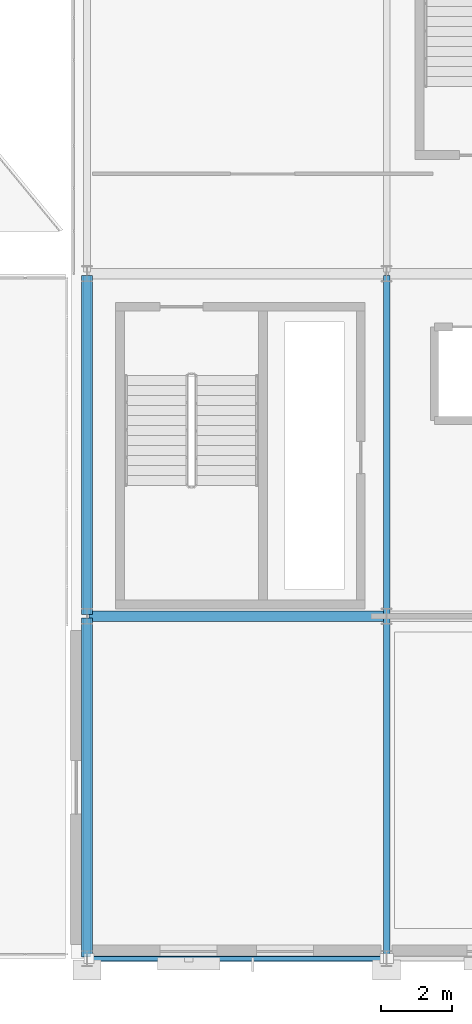
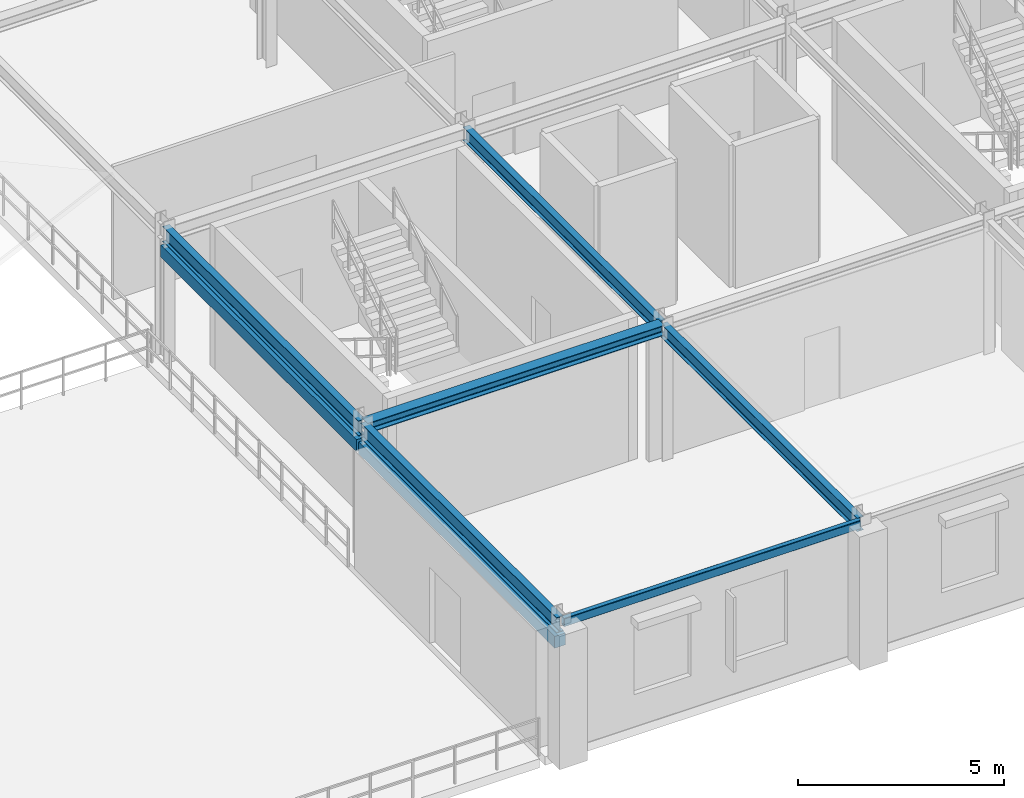
# One storey, part 17 of 81: 8 beams.
"""IFC4 building model written with IfcOpenShell, lengths in metres."""

from ifc_helpers import new_model, si_unit, direction, frame, origin, origin_2d, place, context, subcontext, project, spatial, rectangle, hollow_rectangle, i_section, extrude, material, material_profile, profile_set, type_object, element, save


model = new_model("IFC4")

# Units and contexts
model_context = context("Model", 3, precision=1e-05, world=origin(), true_north=direction((0.0, 1.0)))
body_context = subcontext(model_context, "Body", "Model", "MODEL_VIEW")
ifc_project = project(units=[si_unit("LENGTHUNIT", "METRE"), si_unit("AREAUNIT", "SQUARE_METRE"), si_unit("VOLUMEUNIT", "CUBIC_METRE"), si_unit("PLANEANGLEUNIT", "RADIAN"), si_unit("MASSUNIT", "GRAM", prefix="KILO")], contexts=[model_context])

# Site, building, storey
site_placement = place(None, origin())
site = spatial("IfcSite", under=ifc_project, at=site_placement, CompositionType="ELEMENT")
building_placement = place(site_placement, origin())
building = spatial("IfcBuilding", under=site, at=building_placement, Name="Myrtia Square Station", CompositionType="ELEMENT")
storey_placement = place(building_placement, frame((0.0, 0.0, 10.800048828125)))
storey = spatial("IfcBuildingStorey", under=building, at=storey_placement, Name="L02", CompositionType="ELEMENT", Elevation=10.800048828125)

# Beams
ifc_material_1 = material(Name="Steel S355", Category="steel")
ifc_material_profile_1 = material_profile(ifc_material_1, i_section(OverallWidth=0.300048828125, OverallDepth=0.300048828125, WebThickness=0.010986328125, FlangeThickness=0.01904296875, FilletRadius=0.027099609375, at=origin_2d()), Name="HEB 300")
ifc_profile_set_1 = profile_set([ifc_material_profile_1], Name="Steel S355")
beam_type_1 = type_object("IfcBeamType", Name="BM-HEB300", PredefinedType="BEAM", material=ifc_profile_set_1)
beam_1_placement = place(storey_placement, frame((117.64990234375, 9.60009765625, 3.81005859375), z_axis=(1.0, 0.0, 0.0), x_axis=(0.0, 1.0, 0.0)))
element("IfcBeam", 1, at=beam_1_placement, inside=storey, type_object=beam_type_1, Name="Structural girder BMX-L02-0711", PredefinedType="BEAM", context=body_context, shape_type="SweptSolid", body=[
    extrude(i_section(OverallWidth=0.300048828125, OverallDepth=0.300048828125, WebThickness=0.010986328125, FlangeThickness=0.01904296875, FilletRadius=0.027099609375, at=origin_2d()), origin(), (0.0, 0.0, 1.0), 8.300048828125),
])
ifc_material_profile_2 = material_profile(ifc_material_1, i_section(OverallWidth=0.179931640625, OverallDepth=0.39990234375, WebThickness=0.008544921875, FlangeThickness=0.013427734375, FilletRadius=0.02099609375, at=origin_2d()), Name="IPE 400")
ifc_profile_set_2 = profile_set([ifc_material_profile_2], Name="Steel S355")
beam_type_2 = type_object("IfcBeamType", Name="BM-IPE400", PredefinedType="BEAM", material=ifc_profile_set_2)
for number, where, z_axis, x_axis, name in (
    (2, (126.0, 0.050048828125, 3.760009765625), (0.0, 1.0, 0.0), (-1.0, 0.0, 0.0), "Structural girder BMY-L02-0730"),
    (3, (126.0, 9.64990234375, 3.760009765625), (0.0, 1.0, 0.0), (-1.0, 0.0, 0.0), "Structural girder BMY-L02-0731"),
):
    element("IfcBeam", number, at=place(storey_placement, frame(where, z_axis=z_axis, x_axis=x_axis)), inside=storey, type_object=beam_type_2, Name=name, PredefinedType="BEAM", context=body_context, shape_type="SweptSolid", body=[
        extrude(i_section(OverallWidth=0.179931640625, OverallDepth=0.39990234375, WebThickness=0.008544921875, FlangeThickness=0.013427734375, FilletRadius=0.02099609375, at=origin_2d()), origin(), (0.0, 0.0, 1.0), 9.5),
    ])
ifc_material_profile_3 = material_profile(ifc_material_1, i_section(OverallWidth=0.18994140625, OverallDepth=0.449951171875, WebThickness=0.009521484375, FlangeThickness=0.0146484375, FilletRadius=0.02099609375, at=origin_2d()), Name="IPE 450")
ifc_profile_set_3 = profile_set([ifc_material_profile_3], Name="Steel S355")
beam_type_3 = type_object("IfcBeamType", Name="BM-IPE450", PredefinedType="BEAM", material=ifc_profile_set_3)
for number, where, z_axis, x_axis, name in (
    (4, (117.60009765625, 0.050048828125, 3.73486328125), (0.0, 1.0, 0.0), (-1.0, 0.0, 0.0), "Structural girder BMY-L02-0726"),
    (5, (117.60009765625, 9.64990234375, 3.73486328125), (0.0, 1.0, 0.0), (-1.0, 0.0, 0.0), "Structural girder BMY-L02-0727"),
):
    element("IfcBeam", number, at=place(storey_placement, frame(where, z_axis=z_axis, x_axis=x_axis)), inside=storey, type_object=beam_type_3, Name=name, PredefinedType="BEAM", context=body_context, shape_type="SweptSolid", body=[
        extrude(i_section(OverallWidth=0.18994140625, OverallDepth=0.449951171875, WebThickness=0.009521484375, FlangeThickness=0.0146484375, FilletRadius=0.02099609375, at=origin_2d()), origin(), (0.0, 0.0, 1.0), 9.5),
    ])
ifc_material_2 = material(Name="Concrete C35/45", Category="concrete")
ifc_material_profile_4 = material_profile(ifc_material_2, rectangle(XDim=0.300048828125, YDim=0.35009765625, at=origin_2d()), Name="LNT 300x350")
ifc_profile_set_4 = profile_set([ifc_material_profile_4], Name="Concrete C35/45")
beam_type_4 = type_object("IfcBeamType", Name="LNT-RC300x350", PredefinedType="LINTEL", material=ifc_profile_set_4)
for number, where, z_axis, x_axis, name in (
    (6, (117.60009765625, 0.050048828125, 3.25), (0.0, 1.0, 0.0), (-1.0, 0.0, 0.0), "Reinforced concrete opening lintel L02-09"),
    (7, (117.60009765625, 9.64990234375, 3.25), (0.0, 1.0, 0.0), (-1.0, 0.0, 0.0), "Reinforced concrete opening lintel L02-10"),
):
    element("IfcBeam", number, at=place(storey_placement, frame(where, z_axis=z_axis, x_axis=x_axis)), inside=storey, type_object=beam_type_4, Name=name, PredefinedType="LINTEL", context=body_context, shape_type="SweptSolid", body=[
        extrude(rectangle(XDim=0.300048828125, YDim=0.35009765625, at=origin_2d()), origin(), (0.0, 0.0, 1.0), 9.5),
    ])
ifc_material_profile_5 = material_profile(ifc_material_1, hollow_rectangle(XDim=0.14990234375, YDim=0.25, WallThickness=0.012451171875, InnerFilletRadius=0.012451171875, OuterFilletRadius=0.02490234375, at=origin_2d()), Name="RHS 250x150x12.5")
ifc_profile_set_5 = profile_set([ifc_material_profile_5], Name="Steel S355")
beam_type_5 = type_object("IfcBeamType", Name="SPN-RHS250", PredefinedType="SPANDREL", material=ifc_profile_set_5)
beam_2_placement = place(storey_placement, frame((117.64990234375, 0.0, 3.8349609375), z_axis=(1.0, 0.0, 0.0), x_axis=(0.0, 1.0, 0.0)))
element("IfcBeam", 8, at=beam_2_placement, inside=storey, type_object=beam_type_5, Name="Structural girder SPN-L02-0196", PredefinedType="SPANDREL", context=body_context, shape_type="SweptSolid", body=[
    extrude(hollow_rectangle(XDim=0.14990234375, YDim=0.25, WallThickness=0.012451171875, InnerFilletRadius=0.012451171875, OuterFilletRadius=0.02490234375, at=origin_2d()), origin(), (0.0, 0.0, 1.0), 8.300048828125),
])

save(model, "model.ifc")
